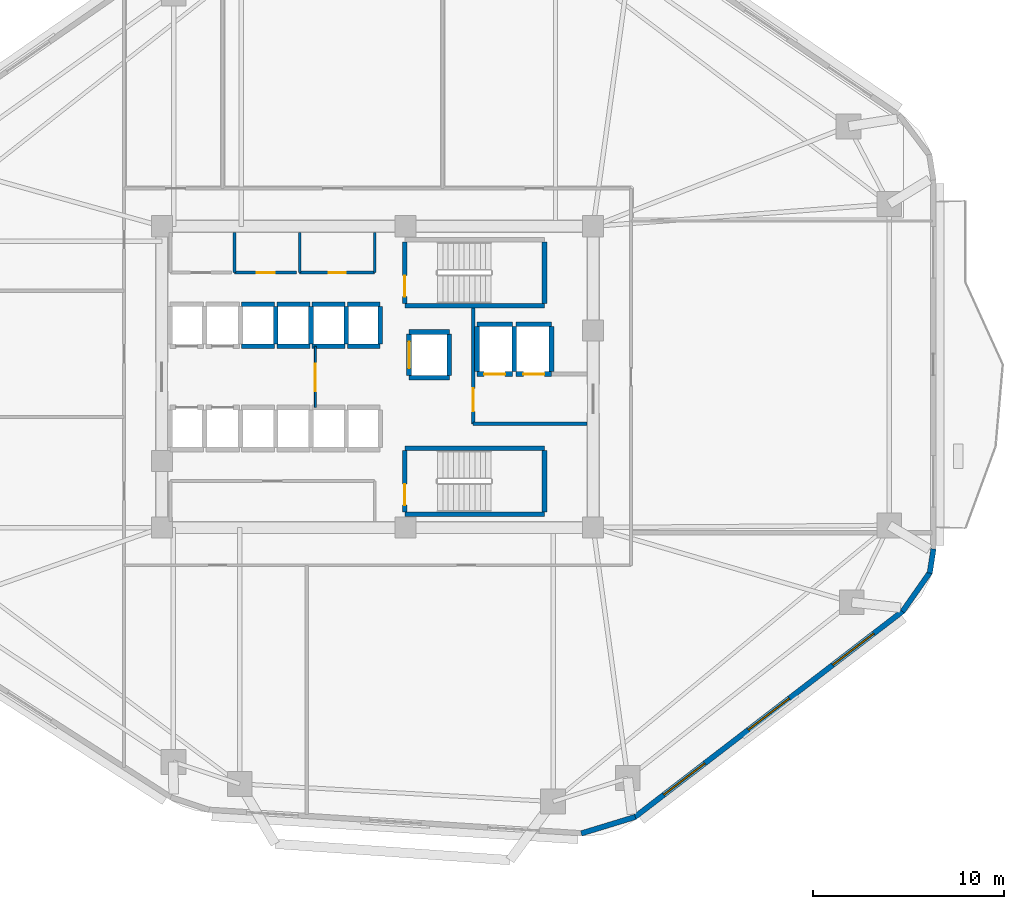
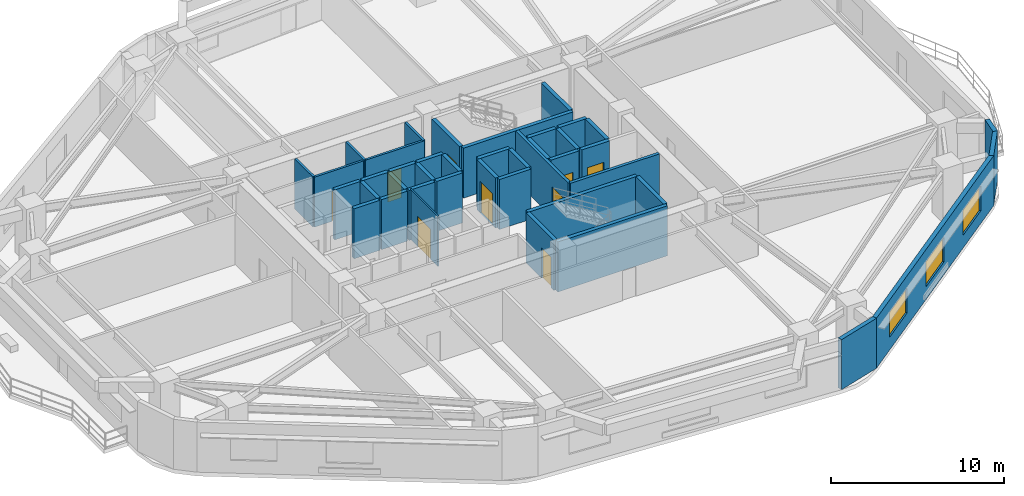
# One storey, part 4 of 9: 42 walls, 9 doors, 3 windows, 12 openings.
"""IFC4 building model written with IfcOpenShell, lengths in metres."""

from ifc_helpers import new_model, si_unit, direction, frame, frame_2d, origin, place, context, subcontext, project, spatial, rectangle, extrude, material, layer, layer_set, type_object, element, fill, save


model = new_model("IFC4")

# Units and contexts
model_context = context("Model", 3, precision=1e-05, world=origin(), true_north=direction((0.0, 1.0)))
body_context = subcontext(model_context, "Body", "Model", "MODEL_VIEW")
ifc_project = project(units=[si_unit("LENGTHUNIT", "METRE"), si_unit("AREAUNIT", "SQUARE_METRE"), si_unit("VOLUMEUNIT", "CUBIC_METRE"), si_unit("PLANEANGLEUNIT", "RADIAN"), si_unit("MASSUNIT", "GRAM", prefix="KILO")], contexts=[model_context])

# Site, building, storey
site_placement = place(None, origin())
site = spatial("IfcSite", under=ifc_project, at=site_placement, CompositionType="ELEMENT")
building_placement = place(site_placement, origin())
building = spatial("IfcBuilding", under=site, at=building_placement, Name="Zulverin Broadcast Headquarters", CompositionType="ELEMENT")
storey_placement = place(building_placement, frame((0.0, 0.0, 82.0)))
storey = spatial("IfcBuildingStorey", under=building, at=storey_placement, Name="L20", CompositionType="ELEMENT", Elevation=82.0)

# Wall, openings, windows
ifc_material_1 = material(Name="Insulated pale-metal clad concrete spandrel C40/50", Category="concrete")
ifc_layer_1 = layer(ifc_material_1, 0.280029296875, Name="Insulated pale-metal clad concrete spandrel C40/50", Category="concrete")
ifc_layer_set_1 = layer_set([ifc_layer_1], Name="Insulated pale-metal clad concrete spandrel C40/50")
wall_type_1 = type_object("IfcWallType", Name="WL-EXT-280", PredefinedType="STANDARD", material=ifc_layer_set_1)
wall_1_placement = place(storey_placement, frame((50.4287109375, 2.171630859375, 0.0), z_axis=(0.0, 0.0, 1.0), x_axis=(0.792937466367, 0.609303023488, 0.0)))
wall_1 = element("IfcWall", 1, at=wall_1_placement, inside=storey, type_object=wall_type_1, Name="L20 Pale-Metal Clad Spandrel Wall 2", PredefinedType="STANDARD", context=body_context, shape_type="SweptSolid", body=[
    extrude(rectangle(XDim=17.712890625, YDim=0.280029296875, at=frame_2d((8.8564453125, 0.0))), origin(), (0.0, 0.0, 1.0), 3.52490234375),
])
opening_1_placement = place(wall_1_placement, frame((1.935546875, 0.0, 0.89990234375)))
opening_1 = element("IfcOpeningElement", 2, at=opening_1_placement, cuts=wall_1, Name="Opening W-L20-E21", PredefinedType="OPENING", context=body_context, shape_type="SweptSolid", body=[
    extrude(rectangle(XDim=2.699951171875, YDim=1.75, at=frame_2d((1.35009765625, 0.875))), frame((0.0, 0.14990234375, 0.0), z_axis=(0.0, -1.0, 0.0), x_axis=(1.0, 0.0, 0.0)), (0.0, 0.0, 1.0), 0.300048828125),
])
opening_2_placement = place(wall_1_placement, frame((7.50634765625, 0.0, 0.89990234375)))
opening_2 = element("IfcOpeningElement", 3, at=opening_2_placement, cuts=wall_1, Name="Opening W-L20-E22", PredefinedType="OPENING", context=body_context, shape_type="SweptSolid", body=[
    extrude(rectangle(XDim=2.699951171875, YDim=1.75, at=frame_2d((1.35009765625, 0.875))), frame((0.0, 0.14990234375, 0.0), z_axis=(0.0, -1.0, 0.0), x_axis=(1.0, 0.0, 0.0)), (0.0, 0.0, 1.0), 0.300048828125),
])
opening_3_placement = place(wall_1_placement, frame((13.077392578125, 0.0, 0.89990234375)))
opening_3 = element("IfcOpeningElement", 4, at=opening_3_placement, cuts=wall_1, Name="Opening W-L20-E23", PredefinedType="OPENING", context=body_context, shape_type="SweptSolid", body=[
    extrude(rectangle(XDim=2.699951171875, YDim=1.75, at=frame_2d((1.35009765625, 0.875))), frame((0.0, 0.14990234375, 0.0), z_axis=(0.0, -1.0, 0.0), x_axis=(1.0, 0.0, 0.0)), (0.0, 0.0, 1.0), 0.300048828125),
])
ifc_material_2 = material(Name="Pale anodized aluminium frame with solar-control low-E double glazing", Category="aluminium")
window_type = type_object("IfcWindowType", Name="WIN-TWR-2700", PartitioningType="SINGLE_PANEL", PredefinedType="WINDOW", material=ifc_material_2)
window_1_placement = place(opening_1_placement, origin())
window_1 = element("IfcWindow", 5, at=window_1_placement, inside=storey, type_object=window_type, Name="L20 Ribbon Glazing Window 2 1", OverallHeight=1.75, OverallWidth=2.699951171875, PartitioningType="SINGLE_PANEL", PredefinedType="WINDOW", context=body_context, shape_type="SweptSolid", body=[
    extrude(rectangle(XDim=2.699951171875, YDim=1.75, at=frame_2d((1.35009765625, 0.875))), frame((0.0, 0.030029296875, 0.0), z_axis=(0.0, -1.0, 0.0), x_axis=(1.0, 0.0, 0.0)), (0.0, 0.0, 1.0), 0.06005859375),
])
fill(opening_1, window_1)
window_2_placement = place(opening_2_placement, origin())
window_2 = element("IfcWindow", 6, at=window_2_placement, inside=storey, type_object=window_type, Name="L20 Ribbon Glazing Window 2 2", OverallHeight=1.75, OverallWidth=2.699951171875, PartitioningType="SINGLE_PANEL", PredefinedType="WINDOW", context=body_context, shape_type="SweptSolid", body=[
    extrude(rectangle(XDim=2.699951171875, YDim=1.75, at=frame_2d((1.35009765625, 0.875))), frame((0.0, 0.030029296875, 0.0), z_axis=(0.0, -1.0, 0.0), x_axis=(1.0, 0.0, 0.0)), (0.0, 0.0, 1.0), 0.06005859375),
])
fill(opening_2, window_2)
window_3_placement = place(opening_3_placement, origin())
window_3 = element("IfcWindow", 7, at=window_3_placement, inside=storey, type_object=window_type, Name="L20 Ribbon Glazing Window 2 3", OverallHeight=1.75, OverallWidth=2.699951171875, PartitioningType="SINGLE_PANEL", PredefinedType="WINDOW", context=body_context, shape_type="SweptSolid", body=[
    extrude(rectangle(XDim=2.699951171875, YDim=1.75, at=frame_2d((1.35009765625, 0.875))), frame((0.0, 0.030029296875, 0.0), z_axis=(0.0, -1.0, 0.0), x_axis=(1.0, 0.0, 0.0)), (0.0, 0.0, 1.0), 0.06005859375),
])
fill(opening_3, window_3)

# Walls
wall_2_placement = place(storey_placement, frame((47.649658203125, 1.3330078125, 0.0), z_axis=(0.0, 0.0, 1.0), x_axis=(0.956461287977, 0.291859220516, 0.0)))
element("IfcWall", 8, at=wall_2_placement, inside=storey, type_object=wall_type_1, Name="L20 Wind-Shaped Corner Spandrel Wall 1-1", PredefinedType="STANDARD", context=body_context, shape_type="SweptSolid", body=[
    extrude(rectangle(XDim=2.951904296875, YDim=0.280029296875, at=frame_2d((1.47607421875, 0.0))), origin(), (0.0, 0.0, 1.0), 3.52490234375),
])
wall_3_placement = place(storey_placement, frame((64.4443359375, 12.933349609375, 0.0), z_axis=(0.0, 0.0, 1.0), x_axis=(0.573176686443, 0.819431806875, 0.0)))
element("IfcWall", 9, at=wall_3_placement, inside=storey, type_object=wall_type_1, Name="L20 Wind-Shaped Corner Spandrel Wall 2-1", PredefinedType="STANDARD", context=body_context, shape_type="SweptSolid", body=[
    extrude(rectangle(XDim=2.524169921875, YDim=0.280029296875, at=frame_2d((1.26220703125, 0.0))), origin(), (0.0, 0.0, 1.0), 3.52490234375),
])
wall_4_placement = place(storey_placement, frame((65.867431640625, 14.942626953125, 0.0), z_axis=(0.0, 0.0, 1.0), x_axis=(0.152014078361, 0.988378328364, 0.0)))
element("IfcWall", 10, at=wall_4_placement, inside=storey, type_object=wall_type_1, Name="L20 Wind-Shaped Corner Spandrel Wall 2-2", PredefinedType="STANDARD", context=body_context, shape_type="SweptSolid", body=[
    extrude(rectangle(XDim=1.27685546875, YDim=0.280029296875, at=frame_2d((0.638427734375, 0.0))), origin(), (0.0, 0.0, 1.0), 3.52490234375),
])

# Wall, opening, door
ifc_material_3 = material(Name="Concrete C40/50", Category="concrete")
ifc_layer_2 = layer(ifc_material_3, 0.199951171875, Name="Concrete C40/50", Category="concrete")
ifc_layer_set_2 = layer_set([ifc_layer_2], Name="Concrete C40/50")
wall_type_2 = type_object("IfcWallType", Name="WL-FFL-200", PredefinedType="SOLIDWALL", material=ifc_layer_set_2)
wall_5_placement = place(storey_placement, frame((42.0, 22.75, 0.0), z_axis=(0.0, 0.0, 1.0), x_axis=(0.0, 1.0, 0.0)))
wall_5 = element("IfcWall", 11, at=wall_5_placement, inside=storey, type_object=wall_type_2, Name="L20 Firefighting Lift Lobby West Wall", PredefinedType="SOLIDWALL", context=body_context, shape_type="SweptSolid", body=[
    extrude(rectangle(XDim=6.050048828125, YDim=0.199951171875, at=frame_2d((3.02490234375, 0.0))), origin(), (0.0, 0.0, 1.0), 3.52490234375),
])
opening_4_placement = place(wall_5_placement, frame((0.64990234375, 0.0, 0.0)))
opening_4 = element("IfcOpeningElement", 12, at=opening_4_placement, cuts=wall_5, Name="Opening D-L20-FFLW", PredefinedType="OPENING", context=body_context, shape_type="SweptSolid", body=[
    extrude(rectangle(XDim=1.199951171875, YDim=2.14990234375, at=frame_2d((0.60009765625, 1.074951171875))), frame((0.0, 0.10986328125, 0.0), z_axis=(0.0, -1.0, 0.0), x_axis=(1.0, 0.0, 0.0)), (0.0, 0.0, 1.0), 0.219970703125),
])
ifc_material_4 = material(Name="Fire-rated steel leaf and frame", Category="steel")
door_type_1 = type_object("IfcDoorType", Name="DR-FFL-1200", OperationType="SINGLE_SWING_RIGHT", PredefinedType="DOOR", material=ifc_material_4)
door_1_placement = place(opening_4_placement, origin())
door_1 = element("IfcDoor", 13, at=door_1_placement, inside=storey, type_object=door_type_1, Name="L20 Firefighting Lift Lobby Door", OperationType="SINGLE_SWING_RIGHT", OverallHeight=2.14990234375, OverallWidth=1.199951171875, PredefinedType="DOOR", context=body_context, shape_type="SweptSolid", body=[
    extrude(rectangle(XDim=1.199951171875, YDim=2.14990234375, at=frame_2d((0.60009765625, 1.074951171875))), frame((0.0, 0.02490234375, 0.0), z_axis=(0.0, -1.0, 0.0), x_axis=(1.0, 0.0, 0.0)), (0.0, 0.0, 1.0), 0.050048828125),
])
fill(opening_4, door_1)

# Wall
wall_6_placement = place(storey_placement, frame((42.0, 22.75, 0.0), z_axis=(0.0, 0.0, 1.0), x_axis=(1.0, 0.0, 0.0)))
element("IfcWall", 14, at=wall_6_placement, inside=storey, type_object=wall_type_2, Name="L20 Firefighting Lift Lobby South Wall", PredefinedType="SOLIDWALL", context=body_context, shape_type="SweptSolid", body=[
    extrude(rectangle(XDim=5.949951171875, YDim=0.199951171875, at=frame_2d((2.97509765625, 0.0))), origin(), (0.0, 0.0, 1.0), 3.52490234375),
])

# Wall, opening, door
ifc_material_5 = material(Name="Fire-rated acoustic laminated glass screen", Category="glass")
ifc_layer_3 = layer(ifc_material_5, 0.10009765625, Name="Fire-rated acoustic laminated glass screen", Category="glass")
ifc_layer_set_3 = layer_set([ifc_layer_3], Name="Fire-rated acoustic laminated glass screen")
wall_type_3 = type_object("IfcWallType", Name="WL-GLAZ-100", PredefinedType="PARTITIONING", material=ifc_layer_set_3)
wall_7_placement = place(storey_placement, frame((33.75, 23.60009765625, 0.0), z_axis=(0.0, 0.0, 1.0), x_axis=(0.0, 1.0, 0.0)))
wall_7 = element("IfcWall", 15, at=wall_7_placement, inside=storey, type_object=wall_type_3, Name="L20 Core Lobby Acoustic Screen", PredefinedType="PARTITIONING", context=body_context, shape_type="SweptSolid", body=[
    extrude(rectangle(XDim=3.199951171875, YDim=0.10009765625, at=frame_2d((1.60009765625, 0.0))), origin(), (0.0, 0.0, 1.0), 3.52490234375),
])
opening_5_placement = place(wall_7_placement, frame((0.85009765625, 0.0, 0.0)))
opening_5 = element("IfcOpeningElement", 16, at=opening_5_placement, cuts=wall_7, Name="Opening D-L20-CL1", PredefinedType="OPENING", context=body_context, shape_type="SweptSolid", body=[
    extrude(rectangle(XDim=1.449951171875, YDim=2.1201171875, at=frame_2d((0.72509765625, 1.06005859375))), frame((0.0, 0.06005859375, 0.0), z_axis=(0.0, -1.0, 0.0), x_axis=(1.0, 0.0, 0.0)), (0.0, 0.0, 1.0), 0.1201171875),
])
ifc_material_6 = material(Name="Fire-rated acoustic glazed double leaf", Category="glass")
door_type_2 = type_object("IfcDoorType", Name="DR-GLZ-1450", OperationType="DOUBLE_DOOR_SINGLE_SWING", PredefinedType="DOOR", material=ifc_material_6)
door_2_placement = place(opening_5_placement, origin())
door_2 = element("IfcDoor", 17, at=door_2_placement, inside=storey, type_object=door_type_2, Name="L20 Core Lobby Vestibule Door", OperationType="DOUBLE_DOOR_SINGLE_SWING", OverallHeight=2.1201171875, OverallWidth=1.449951171875, PredefinedType="DOOR", context=body_context, shape_type="SweptSolid", body=[
    extrude(rectangle(XDim=1.449951171875, YDim=2.1201171875, at=frame_2d((0.72509765625, 1.06005859375))), frame((0.0, 0.02490234375, 0.0), z_axis=(0.0, -1.0, 0.0), x_axis=(1.0, 0.0, 0.0)), (0.0, 0.0, 1.0), 0.050048828125),
])
fill(opening_5, door_2)

ifc_material_7 = material(Name="Fire-rated gypsum stud partition", Category="gypsum")
ifc_layer_4 = layer(ifc_material_7, 0.14990234375, Name="Fire-rated gypsum stud partition", Category="gypsum")
ifc_layer_set_4 = layer_set([ifc_layer_4], Name="Fire-rated gypsum stud partition")
wall_type_4 = type_object("IfcWallType", Name="WL-PART-150", PredefinedType="PARTITIONING", material=ifc_layer_set_4)
wall_8_placement = place(storey_placement, frame((29.530029296875, 30.64990234375, 0.0), z_axis=(0.0, 0.0, 1.0), x_axis=(1.0, 0.0, 0.0)))
wall_8 = element("IfcWall", 18, at=wall_8_placement, inside=storey, type_object=wall_type_4, Name="L20 Core Male WC Front Wall", PredefinedType="PARTITIONING", context=body_context, shape_type="SweptSolid", body=[
    extrude(rectangle(XDim=3.239990234375, YDim=0.14990234375, at=frame_2d((1.6201171875, 0.0))), origin(), (0.0, 0.0, 1.0), 3.52490234375),
])
opening_6_placement = place(wall_8_placement, frame((1.14501953125, 0.0, 0.0)))
opening_6 = element("IfcOpeningElement", 19, at=opening_6_placement, cuts=wall_8, Name="Opening D-L20-NC2", PredefinedType="OPENING", context=body_context, shape_type="SweptSolid", body=[
    extrude(rectangle(XDim=0.949951171875, YDim=2.10009765625, at=frame_2d((0.47509765625, 1.050048828125))), frame((0.0, 0.0849609375, 0.0), z_axis=(0.0, -1.0, 0.0), x_axis=(1.0, 0.0, 0.0)), (0.0, 0.0, 1.0), 0.169921875),
])
ifc_material_8 = material(Name="Fire-rated moisture-resistant laminate leaf", Category="wood")
door_type_3 = type_object("IfcDoorType", Name="DR-WC-950", OperationType="SINGLE_SWING_LEFT", PredefinedType="DOOR", material=ifc_material_8)
door_3_placement = place(opening_6_placement, origin())
door_3 = element("IfcDoor", 20, at=door_3_placement, inside=storey, type_object=door_type_3, Name="L20 Male WC Door", OperationType="SINGLE_SWING_RIGHT", OverallHeight=2.10009765625, OverallWidth=0.949951171875, PredefinedType="DOOR", context=body_context, shape_type="SweptSolid", body=[
    extrude(rectangle(XDim=0.949951171875, YDim=2.10009765625, at=frame_2d((0.47509765625, 1.050048828125))), frame((0.0, 0.02490234375, 0.0), z_axis=(0.0, -1.0, 0.0), x_axis=(1.0, 0.0, 0.0)), (0.0, 0.0, 1.0), 0.050048828125),
])
fill(opening_6, door_3)

# Wall
wall_9_placement = place(storey_placement, frame((29.530029296875, 30.64990234375, 0.0), z_axis=(0.0, 0.0, 1.0), x_axis=(0.0, 1.0, 0.0)))
element("IfcWall", 21, at=wall_9_placement, inside=storey, type_object=wall_type_4, Name="L20 Core Male WC West Wall", PredefinedType="PARTITIONING", context=body_context, shape_type="SweptSolid", body=[
    extrude(rectangle(XDim=2.10009765625, YDim=0.14990234375, at=frame_2d((1.050048828125, 0.0))), origin(), (0.0, 0.0, 1.0), 3.52490234375),
])

# Wall, opening, door
wall_10_placement = place(storey_placement, frame((32.929931640625, 30.64990234375, 0.0), z_axis=(0.0, 0.0, 1.0), x_axis=(1.0, 0.0, 0.0)))
wall_10 = element("IfcWall", 22, at=wall_10_placement, inside=storey, type_object=wall_type_4, Name="L20 Core Electrical Switch Riser Front Wall", PredefinedType="PARTITIONING", context=body_context, shape_type="SweptSolid", body=[
    extrude(rectangle(XDim=3.920166015625, YDim=0.14990234375, at=frame_2d((1.9599609375, 0.0))), origin(), (0.0, 0.0, 1.0), 3.52490234375),
])
opening_7_placement = place(wall_10_placement, frame((1.510009765625, 0.0, 0.0)))
opening_7 = element("IfcOpeningElement", 23, at=opening_7_placement, cuts=wall_10, Name="Opening D-L20-NC3", PredefinedType="OPENING", context=body_context, shape_type="SweptSolid", body=[
    extrude(rectangle(XDim=0.89990234375, YDim=2.10009765625, at=frame_2d((0.449951171875, 1.050048828125))), frame((0.0, 0.0849609375, 0.0), z_axis=(0.0, -1.0, 0.0), x_axis=(1.0, 0.0, 0.0)), (0.0, 0.0, 1.0), 0.169921875),
])
ifc_material_9 = material(Name="Powder-coated steel access leaf", Category="steel")
door_type_4 = type_object("IfcDoorType", Name="DR-RISER-900", OperationType="SINGLE_SWING_LEFT", PredefinedType="DOOR", material=ifc_material_9)
door_4_placement = place(opening_7_placement, origin())
door_4 = element("IfcDoor", 24, at=door_4_placement, inside=storey, type_object=door_type_4, Name="L20 Electrical Switch Riser Door", OperationType="SINGLE_SWING_LEFT", OverallHeight=2.10009765625, OverallWidth=0.89990234375, PredefinedType="DOOR", context=body_context, shape_type="SweptSolid", body=[
    extrude(rectangle(XDim=0.89990234375, YDim=2.10009765625, at=frame_2d((0.449951171875, 1.050048828125))), frame((0.0, 0.02490234375, 0.0), z_axis=(0.0, -1.0, 0.0), x_axis=(1.0, 0.0, 0.0)), (0.0, 0.0, 1.0), 0.050048828125),
])
fill(opening_7, door_4)

# Walls
for number, where, z_axis, x_axis, name in (
    (25, (32.929931640625, 30.64990234375, 0.0), (0.0, 0.0, 1.0), (0.0, 1.0, 0.0), "L20 Core Electrical Switch Riser West Wall"),
    (26, (36.85009765625, 30.64990234375, 0.0), (0.0, 0.0, 1.0), (0.0, 1.0, 0.0), "L20 Core Electrical Switch Riser East Wall"),
):
    element("IfcWall", number, at=place(storey_placement, frame(where, z_axis=z_axis, x_axis=x_axis)), inside=storey, type_object=wall_type_4, Name=name, PredefinedType="PARTITIONING", context=body_context, shape_type="SweptSolid", body=[
        extrude(rectangle(XDim=2.10009765625, YDim=0.14990234375, at=frame_2d((1.050048828125, 0.0))), origin(), (0.0, 0.0, 1.0), 3.52490234375),
    ])
ifc_material_10 = material(Name="Concrete C50/60", Category="concrete")
ifc_layer_5 = layer(ifc_material_10, 0.25, Name="Concrete C50/60", Category="concrete")
ifc_layer_set_5 = layer_set([ifc_layer_5], Name="Concrete C50/60")
wall_type_5 = type_object("IfcWallType", Name="WL-SHAFT-250", PredefinedType="SHEAR", material=ifc_layer_set_5)
wall_11_placement = place(storey_placement, frame((38.425048828125, 28.925048828125, 0.0), z_axis=(0.0, 0.0, 1.0), x_axis=(1.0, 0.0, 0.0)))
element("IfcWall", 27, at=wall_11_placement, inside=storey, type_object=wall_type_5, Name="L20 ST-1 Enclosure Wall S", PredefinedType="SHEAR", context=body_context, shape_type="SweptSolid", body=[
    extrude(rectangle(XDim=7.300048828125, YDim=0.25, at=frame_2d((3.64990234375, 0.0))), origin(), (0.0, 0.0, 1.0), 3.52490234375),
])

# Wall, opening, door
wall_12_placement = place(storey_placement, frame((38.425048828125, 29.050048828125, 0.0), z_axis=(0.0, 0.0, 1.0), x_axis=(0.0, 1.0, 0.0)))
wall_12 = element("IfcWall", 28, at=wall_12_placement, inside=storey, type_object=wall_type_5, Name="L20 ST-1 Enclosure Wall W", PredefinedType="SHEAR", context=body_context, shape_type="SweptSolid", body=[
    extrude(rectangle(XDim=3.199951171875, YDim=0.25, at=frame_2d((1.60009765625, 0.0))), origin(), (0.0, 0.0, 1.0), 3.52490234375),
])
opening_8_placement = place(wall_12_placement, frame((0.35009765625, 0.0, 0.0)))
opening_8 = element("IfcOpeningElement", 29, at=opening_8_placement, cuts=wall_12, Name="Opening D-L20-ST-1", PredefinedType="OPENING", context=body_context, shape_type="SweptSolid", body=[
    extrude(rectangle(XDim=1.10009765625, YDim=2.14990234375, at=frame_2d((0.550048828125, 1.074951171875))), frame((0.0, 0.135009765625, 0.0), z_axis=(0.0, -1.0, 0.0), x_axis=(1.0, 0.0, 0.0)), (0.0, 0.0, 1.0), 0.27001953125),
])
door_type_5 = type_object("IfcDoorType", Name="DR-STAIR-1100", OperationType="SINGLE_SWING_LEFT", PredefinedType="DOOR", material=ifc_material_4)
door_5_placement = place(opening_8_placement, origin())
door_5 = element("IfcDoor", 30, at=door_5_placement, inside=storey, type_object=door_type_5, Name="L20 Exit Stair ST-1 Fire Door", OperationType="SINGLE_SWING_LEFT", OverallHeight=2.14990234375, OverallWidth=1.10009765625, PredefinedType="DOOR", context=body_context, shape_type="SweptSolid", body=[
    extrude(rectangle(XDim=1.10009765625, YDim=2.14990234375, at=frame_2d((0.550048828125, 1.074951171875))), frame((0.0, 0.02490234375, 0.0), z_axis=(0.0, -1.0, 0.0), x_axis=(1.0, 0.0, 0.0)), (0.0, 0.0, 1.0), 0.050048828125),
])
fill(opening_8, door_5)

# Walls
wall_13_placement = place(storey_placement, frame((45.72509765625, 29.050048828125, 0.0), z_axis=(0.0, 0.0, 1.0), x_axis=(0.0, 1.0, 0.0)))
element("IfcWall", 31, at=wall_13_placement, inside=storey, type_object=wall_type_5, Name="L20 ST-1 Enclosure Wall E", PredefinedType="SHEAR", context=body_context, shape_type="SweptSolid", body=[
    extrude(rectangle(XDim=3.199951171875, YDim=0.25, at=frame_2d((1.60009765625, 0.0))), origin(), (0.0, 0.0, 1.0), 3.52490234375),
])
for number, where, z_axis, x_axis, name in (
    (32, (38.425048828125, 18.02490234375, 0.0), (0.0, 0.0, 1.0), (1.0, 0.0, 0.0), "L20 ST-2 Enclosure Wall S"),
    (33, (38.425048828125, 21.47509765625, 0.0), (0.0, 0.0, 1.0), (1.0, 0.0, 0.0), "L20 ST-2 Enclosure Wall N"),
):
    element("IfcWall", number, at=place(storey_placement, frame(where, z_axis=z_axis, x_axis=x_axis)), inside=storey, type_object=wall_type_5, Name=name, PredefinedType="SHEAR", context=body_context, shape_type="SweptSolid", body=[
        extrude(rectangle(XDim=7.300048828125, YDim=0.25, at=frame_2d((3.64990234375, 0.0))), origin(), (0.0, 0.0, 1.0), 3.52490234375),
    ])

# Wall, opening, door
wall_14_placement = place(storey_placement, frame((38.425048828125, 18.14990234375, 0.0), z_axis=(0.0, 0.0, 1.0), x_axis=(0.0, 1.0, 0.0)))
wall_14 = element("IfcWall", 34, at=wall_14_placement, inside=storey, type_object=wall_type_5, Name="L20 ST-2 Enclosure Wall W", PredefinedType="SHEAR", context=body_context, shape_type="SweptSolid", body=[
    extrude(rectangle(XDim=3.2001953125, YDim=0.25, at=frame_2d((1.60009765625, 0.0))), origin(), (0.0, 0.0, 1.0), 3.52490234375),
])
opening_9_placement = place(wall_14_placement, frame((0.35009765625, 0.0, 0.0)))
opening_9 = element("IfcOpeningElement", 35, at=opening_9_placement, cuts=wall_14, Name="Opening D-L20-ST-2", PredefinedType="OPENING", context=body_context, shape_type="SweptSolid", body=[
    extrude(rectangle(XDim=1.10009765625, YDim=2.14990234375, at=frame_2d((0.550048828125, 1.074951171875))), frame((0.0, 0.135009765625, 0.0), z_axis=(0.0, -1.0, 0.0), x_axis=(1.0, 0.0, 0.0)), (0.0, 0.0, 1.0), 0.27001953125),
])
door_6_placement = place(opening_9_placement, origin())
door_6 = element("IfcDoor", 36, at=door_6_placement, inside=storey, type_object=door_type_5, Name="L20 Exit Stair ST-2 Fire Door", OperationType="SINGLE_SWING_RIGHT", OverallHeight=2.14990234375, OverallWidth=1.10009765625, PredefinedType="DOOR", context=body_context, shape_type="SweptSolid", body=[
    extrude(rectangle(XDim=1.10009765625, YDim=2.14990234375, at=frame_2d((0.550048828125, 1.074951171875))), frame((0.0, 0.02490234375, 0.0), z_axis=(0.0, -1.0, 0.0), x_axis=(1.0, 0.0, 0.0)), (0.0, 0.0, 1.0), 0.050048828125),
])
fill(opening_9, door_6)

# Walls
wall_15_placement = place(storey_placement, frame((45.72509765625, 18.14990234375, 0.0), z_axis=(0.0, 0.0, 1.0), x_axis=(0.0, 1.0, 0.0)))
element("IfcWall", 37, at=wall_15_placement, inside=storey, type_object=wall_type_5, Name="L20 ST-2 Enclosure Wall E", PredefinedType="SHEAR", context=body_context, shape_type="SweptSolid", body=[
    extrude(rectangle(XDim=3.2001953125, YDim=0.25, at=frame_2d((1.60009765625, 0.0))), origin(), (0.0, 0.0, 1.0), 3.52490234375),
])
for number, where, z_axis, x_axis, name in (
    (38, (29.89990234375, 26.800048828125, 0.0), (0.0, 0.0, 1.0), (1.0, 0.0, 0.0), "L20 Lift PL-H1 Shaft Wall S"),
    (39, (29.89990234375, 29.0, 0.0), (0.0, 0.0, 1.0), (1.0, 0.0, 0.0), "L20 Lift PL-H1 Shaft Wall N"),
):
    element("IfcWall", number, at=place(storey_placement, frame(where, z_axis=z_axis, x_axis=x_axis)), inside=storey, type_object=wall_type_5, Name=name, PredefinedType="SHEAR", context=body_context, shape_type="SweptSolid", body=[
        extrude(rectangle(XDim=1.72021484375, YDim=0.25, at=frame_2d((0.860107421875, 0.0))), origin(), (0.0, 0.0, 1.0), 3.52490234375),
    ])
wall_16_placement = place(storey_placement, frame((31.679931640625, 26.919921875, 0.0), z_axis=(0.0, 0.0, 1.0), x_axis=(0.0, 1.0, 0.0)))
element("IfcWall", 40, at=wall_16_placement, inside=storey, type_object=wall_type_5, Name="L20 Lift PL-H1 Shaft Wall E", PredefinedType="SHEAR", context=body_context, shape_type="SweptSolid", body=[
    extrude(rectangle(XDim=1.9599609375, YDim=0.25, at=frame_2d((0.97998046875, 0.0))), origin(), (0.0, 0.0, 1.0), 3.52490234375),
])
for number, where, z_axis, x_axis, name in (
    (41, (31.739990234375, 26.800048828125, 0.0), (0.0, 0.0, 1.0), (1.0, 0.0, 0.0), "L20 Lift PL-H2 Shaft Wall S"),
    (42, (31.739990234375, 29.0, 0.0), (0.0, 0.0, 1.0), (1.0, 0.0, 0.0), "L20 Lift PL-H2 Shaft Wall N"),
):
    element("IfcWall", number, at=place(storey_placement, frame(where, z_axis=z_axis, x_axis=x_axis)), inside=storey, type_object=wall_type_5, Name=name, PredefinedType="SHEAR", context=body_context, shape_type="SweptSolid", body=[
        extrude(rectangle(XDim=1.719970703125, YDim=0.25, at=frame_2d((0.85986328125, 0.0))), origin(), (0.0, 0.0, 1.0), 3.52490234375),
    ])
wall_17_placement = place(storey_placement, frame((33.52001953125, 26.919921875, 0.0), z_axis=(0.0, 0.0, 1.0), x_axis=(0.0, 1.0, 0.0)))
element("IfcWall", 43, at=wall_17_placement, inside=storey, type_object=wall_type_5, Name="L20 Lift PL-H2 Shaft Wall E", PredefinedType="SHEAR", context=body_context, shape_type="SweptSolid", body=[
    extrude(rectangle(XDim=1.9599609375, YDim=0.25, at=frame_2d((0.97998046875, 0.0))), origin(), (0.0, 0.0, 1.0), 3.52490234375),
])
for number, where, z_axis, x_axis, name in (
    (44, (33.580078125, 26.800048828125, 0.0), (0.0, 0.0, 1.0), (1.0, 0.0, 0.0), "L20 Lift PL-H3 Shaft Wall S"),
    (45, (33.580078125, 29.0, 0.0), (0.0, 0.0, 1.0), (1.0, 0.0, 0.0), "L20 Lift PL-H3 Shaft Wall N"),
):
    element("IfcWall", number, at=place(storey_placement, frame(where, z_axis=z_axis, x_axis=x_axis)), inside=storey, type_object=wall_type_5, Name=name, PredefinedType="SHEAR", context=body_context, shape_type="SweptSolid", body=[
        extrude(rectangle(XDim=1.719970703125, YDim=0.25, at=frame_2d((0.85986328125, 0.0))), origin(), (0.0, 0.0, 1.0), 3.52490234375),
    ])
wall_18_placement = place(storey_placement, frame((35.360107421875, 26.919921875, 0.0), z_axis=(0.0, 0.0, 1.0), x_axis=(0.0, 1.0, 0.0)))
element("IfcWall", 46, at=wall_18_placement, inside=storey, type_object=wall_type_5, Name="L20 Lift PL-H3 Shaft Wall E", PredefinedType="SHEAR", context=body_context, shape_type="SweptSolid", body=[
    extrude(rectangle(XDim=1.9599609375, YDim=0.25, at=frame_2d((0.97998046875, 0.0))), origin(), (0.0, 0.0, 1.0), 3.52490234375),
])
for number, where, z_axis, x_axis, name in (
    (47, (35.419921875, 26.800048828125, 0.0), (0.0, 0.0, 1.0), (1.0, 0.0, 0.0), "L20 Lift PL-H4 Shaft Wall S"),
    (48, (35.419921875, 29.0, 0.0), (0.0, 0.0, 1.0), (1.0, 0.0, 0.0), "L20 Lift PL-H4 Shaft Wall N"),
):
    element("IfcWall", number, at=place(storey_placement, frame(where, z_axis=z_axis, x_axis=x_axis)), inside=storey, type_object=wall_type_5, Name=name, PredefinedType="SHEAR", context=body_context, shape_type="SweptSolid", body=[
        extrude(rectangle(XDim=1.719970703125, YDim=0.25, at=frame_2d((0.85986328125, 0.0))), origin(), (0.0, 0.0, 1.0), 3.52490234375),
    ])
wall_19_placement = place(storey_placement, frame((37.139892578125, 26.919921875, 0.0), z_axis=(0.0, 0.0, 1.0), x_axis=(0.0, 1.0, 0.0)))
element("IfcWall", 49, at=wall_19_placement, inside=storey, type_object=wall_type_5, Name="L20 Lift PL-H4 Shaft Wall E", PredefinedType="SHEAR", context=body_context, shape_type="SweptSolid", body=[
    extrude(rectangle(XDim=1.9599609375, YDim=0.25, at=frame_2d((0.97998046875, 0.0))), origin(), (0.0, 0.0, 1.0), 3.52490234375),
])

# Wall, opening, door
wall_20_placement = place(storey_placement, frame((42.199951171875, 25.35009765625, 0.0), z_axis=(0.0, 0.0, 1.0), x_axis=(1.0, 0.0, 0.0)))
wall_20 = element("IfcWall", 50, at=wall_20_placement, inside=storey, type_object=wall_type_5, Name="L20 Lift FFL-1 Shaft Wall S", PredefinedType="SHEAR", context=body_context, shape_type="SweptSolid", body=[
    extrude(rectangle(XDim=1.85009765625, YDim=0.25, at=frame_2d((0.925048828125, 0.0))), origin(), (0.0, 0.0, 1.0), 3.52490234375),
])
opening_10_placement = place(wall_20_placement, frame((0.375, 0.0, 0.0)))
opening_10 = element("IfcOpeningElement", 51, at=opening_10_placement, cuts=wall_20, Name="Opening LD-FFL-1-L20", PredefinedType="OPENING", context=body_context, shape_type="SweptSolid", body=[
    extrude(rectangle(XDim=1.10009765625, YDim=2.14990234375, at=frame_2d((0.550048828125, 1.074951171875))), frame((0.0, 0.135009765625, 0.0), z_axis=(0.0, -1.0, 0.0), x_axis=(1.0, 0.0, 0.0)), (0.0, 0.0, 1.0), 0.27001953125),
])
ifc_material_11 = material(Name="Fire-rated stainless landing door", Category="steel")
door_type_6 = type_object("IfcDoorType", Name="LD-FFL-1100", OperationType="DOUBLE_DOOR_SLIDING", PredefinedType="DOOR", material=ifc_material_11)
door_7_placement = place(opening_10_placement, origin())
door_7 = element("IfcDoor", 52, at=door_7_placement, inside=storey, type_object=door_type_6, Name="L20 Lift FFL-1 Sliding Landing Door", OperationType="DOUBLE_DOOR_SLIDING", OverallHeight=2.14990234375, OverallWidth=1.10009765625, PredefinedType="DOOR", context=body_context, shape_type="SweptSolid", body=[
    extrude(rectangle(XDim=1.10009765625, YDim=2.14990234375, at=frame_2d((0.550048828125, 1.074951171875))), frame((0.0, 0.02490234375, 0.0), z_axis=(0.0, -1.0, 0.0), x_axis=(1.0, 0.0, 0.0)), (0.0, 0.0, 1.0), 0.050048828125),
])
fill(opening_10, door_7)

# Walls
wall_21_placement = place(storey_placement, frame((42.199951171875, 27.949951171875, 0.0), z_axis=(0.0, 0.0, 1.0), x_axis=(1.0, 0.0, 0.0)))
element("IfcWall", 53, at=wall_21_placement, inside=storey, type_object=wall_type_5, Name="L20 Lift FFL-1 Shaft Wall N", PredefinedType="SHEAR", context=body_context, shape_type="SweptSolid", body=[
    extrude(rectangle(XDim=1.85009765625, YDim=0.25, at=frame_2d((0.925048828125, 0.0))), origin(), (0.0, 0.0, 1.0), 3.52490234375),
])
for number, where, z_axis, x_axis, name in (
    (54, (42.199951171875, 25.469970703125, 0.0), (0.0, 0.0, 1.0), (0.0, 1.0, 0.0), "L20 Lift FFL-1 Shaft Wall W"),
    (55, (44.14990234375, 25.469970703125, 0.0), (0.0, 0.0, 1.0), (0.0, 1.0, 0.0), "L20 Lift FFL-1 Shaft Wall E"),
):
    element("IfcWall", number, at=place(storey_placement, frame(where, z_axis=z_axis, x_axis=x_axis)), inside=storey, type_object=wall_type_5, Name=name, PredefinedType="SHEAR", context=body_context, shape_type="SweptSolid", body=[
        extrude(rectangle(XDim=2.360107421875, YDim=0.25, at=frame_2d((1.18017578125, 0.0))), origin(), (0.0, 0.0, 1.0), 3.52490234375),
    ])

# Wall, opening, door
wall_22_placement = place(storey_placement, frame((44.25, 25.35009765625, 0.0), z_axis=(0.0, 0.0, 1.0), x_axis=(1.0, 0.0, 0.0)))
wall_22 = element("IfcWall", 56, at=wall_22_placement, inside=storey, type_object=wall_type_5, Name="L20 Lift FFL-2 Shaft Wall S", PredefinedType="SHEAR", context=body_context, shape_type="SweptSolid", body=[
    extrude(rectangle(XDim=1.85009765625, YDim=0.25, at=frame_2d((0.925048828125, 0.0))), origin(), (0.0, 0.0, 1.0), 3.52490234375),
])
opening_11_placement = place(wall_22_placement, frame((0.375, 0.0, 0.0)))
opening_11 = element("IfcOpeningElement", 57, at=opening_11_placement, cuts=wall_22, Name="Opening LD-FFL-2-L20", PredefinedType="OPENING", context=body_context, shape_type="SweptSolid", body=[
    extrude(rectangle(XDim=1.10009765625, YDim=2.14990234375, at=frame_2d((0.550048828125, 1.074951171875))), frame((0.0, 0.135009765625, 0.0), z_axis=(0.0, -1.0, 0.0), x_axis=(1.0, 0.0, 0.0)), (0.0, 0.0, 1.0), 0.27001953125),
])
door_8_placement = place(opening_11_placement, origin())
door_8 = element("IfcDoor", 58, at=door_8_placement, inside=storey, type_object=door_type_6, Name="L20 Lift FFL-2 Sliding Landing Door", OperationType="DOUBLE_DOOR_SLIDING", OverallHeight=2.14990234375, OverallWidth=1.10009765625, PredefinedType="DOOR", context=body_context, shape_type="SweptSolid", body=[
    extrude(rectangle(XDim=1.10009765625, YDim=2.14990234375, at=frame_2d((0.550048828125, 1.074951171875))), frame((0.0, 0.02490234375, 0.0), z_axis=(0.0, -1.0, 0.0), x_axis=(1.0, 0.0, 0.0)), (0.0, 0.0, 1.0), 0.050048828125),
])
fill(opening_11, door_8)

# Walls
wall_23_placement = place(storey_placement, frame((44.25, 27.949951171875, 0.0), z_axis=(0.0, 0.0, 1.0), x_axis=(1.0, 0.0, 0.0)))
element("IfcWall", 59, at=wall_23_placement, inside=storey, type_object=wall_type_5, Name="L20 Lift FFL-2 Shaft Wall N", PredefinedType="SHEAR", context=body_context, shape_type="SweptSolid", body=[
    extrude(rectangle(XDim=1.85009765625, YDim=0.25, at=frame_2d((0.925048828125, 0.0))), origin(), (0.0, 0.0, 1.0), 3.52490234375),
])
wall_24_placement = place(storey_placement, frame((46.10009765625, 25.469970703125, 0.0), z_axis=(0.0, 0.0, 1.0), x_axis=(0.0, 1.0, 0.0)))
element("IfcWall", 60, at=wall_24_placement, inside=storey, type_object=wall_type_5, Name="L20 Lift FFL-2 Shaft Wall E", PredefinedType="SHEAR", context=body_context, shape_type="SweptSolid", body=[
    extrude(rectangle(XDim=2.360107421875, YDim=0.25, at=frame_2d((1.18017578125, 0.0))), origin(), (0.0, 0.0, 1.0), 3.52490234375),
])
for number, where, z_axis, x_axis, name in (
    (61, (38.64990234375, 25.14990234375, 0.0), (0.0, 0.0, 1.0), (1.0, 0.0, 0.0), "L20 Lift SVL-1 Shaft Wall S"),
    (62, (38.64990234375, 27.550048828125, 0.0), (0.0, 0.0, 1.0), (1.0, 0.0, 0.0), "L20 Lift SVL-1 Shaft Wall N"),
):
    element("IfcWall", number, at=place(storey_placement, frame(where, z_axis=z_axis, x_axis=x_axis)), inside=storey, type_object=wall_type_5, Name=name, PredefinedType="SHEAR", context=body_context, shape_type="SweptSolid", body=[
        extrude(rectangle(XDim=2.10009765625, YDim=0.25, at=frame_2d((1.050048828125, 0.0))), origin(), (0.0, 0.0, 1.0), 3.52490234375),
    ])

# Wall, opening, door
wall_25_placement = place(storey_placement, frame((38.64990234375, 25.27001953125, 0.0), z_axis=(0.0, 0.0, 1.0), x_axis=(0.0, 1.0, 0.0)))
wall_25 = element("IfcWall", 63, at=wall_25_placement, inside=storey, type_object=wall_type_5, Name="L20 Lift SVL-1 Shaft Wall W", PredefinedType="SHEAR", context=body_context, shape_type="SweptSolid", body=[
    extrude(rectangle(XDim=2.159912109375, YDim=0.25, at=frame_2d((1.080078125, 0.0))), origin(), (0.0, 0.0, 1.0), 3.52490234375),
])
opening_12_placement = place(wall_25_placement, frame((0.3798828125, 0.0, 0.0)))
opening_12 = element("IfcOpeningElement", 64, at=opening_12_placement, cuts=wall_25, Name="Opening LD-SVL-1-L20", PredefinedType="OPENING", context=body_context, shape_type="SweptSolid", body=[
    extrude(rectangle(XDim=1.39990234375, YDim=2.199951171875, at=frame_2d((0.699951171875, 1.10009765625))), frame((0.0, 0.135009765625, 0.0), z_axis=(0.0, -1.0, 0.0), x_axis=(1.0, 0.0, 0.0)), (0.0, 0.0, 1.0), 0.27001953125),
])
ifc_material_12 = material(Name="Heavy-duty stainless landing door", Category="steel")
door_type_7 = type_object("IfcDoorType", Name="LD-GOODS-1400", OperationType="DOUBLE_DOOR_SLIDING", PredefinedType="DOOR", material=ifc_material_12)
door_9_placement = place(opening_12_placement, origin())
door_9 = element("IfcDoor", 65, at=door_9_placement, inside=storey, type_object=door_type_7, Name="L20 Lift SVL-1 Sliding Landing Door", OperationType="DOUBLE_DOOR_SLIDING", OverallHeight=2.199951171875, OverallWidth=1.39990234375, PredefinedType="DOOR", context=body_context, shape_type="SweptSolid", body=[
    extrude(rectangle(XDim=1.39990234375, YDim=2.199951171875, at=frame_2d((0.699951171875, 1.10009765625))), frame((0.0, 0.02490234375, 0.0), z_axis=(0.0, -1.0, 0.0), x_axis=(1.0, 0.0, 0.0)), (0.0, 0.0, 1.0), 0.050048828125),
])
fill(opening_12, door_9)

# Wall
wall_26_placement = place(storey_placement, frame((40.75, 25.27001953125, 0.0), z_axis=(0.0, 0.0, 1.0), x_axis=(0.0, 1.0, 0.0)))
element("IfcWall", 66, at=wall_26_placement, inside=storey, type_object=wall_type_5, Name="L20 Lift SVL-1 Shaft Wall E", PredefinedType="SHEAR", context=body_context, shape_type="SweptSolid", body=[
    extrude(rectangle(XDim=2.159912109375, YDim=0.25, at=frame_2d((1.080078125, 0.0))), origin(), (0.0, 0.0, 1.0), 3.52490234375),
])

save(model, "model.ifc")
